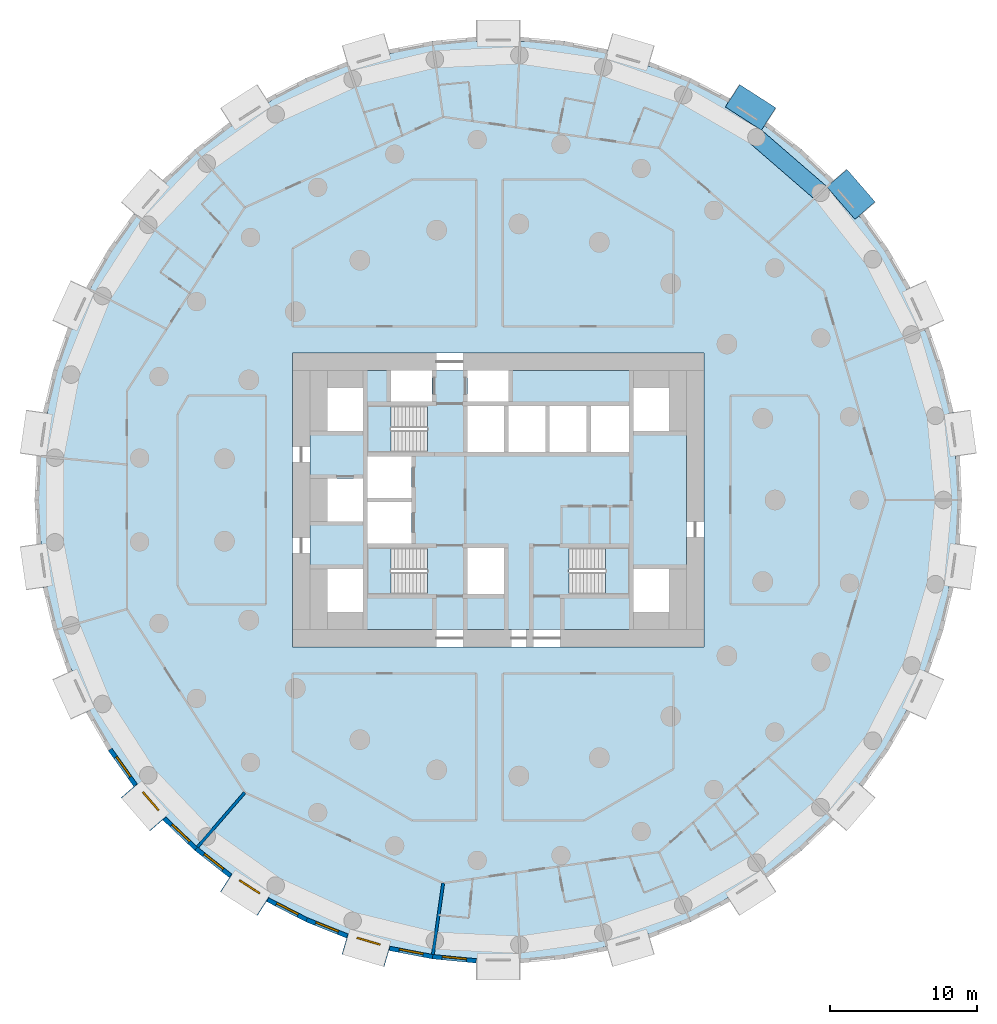
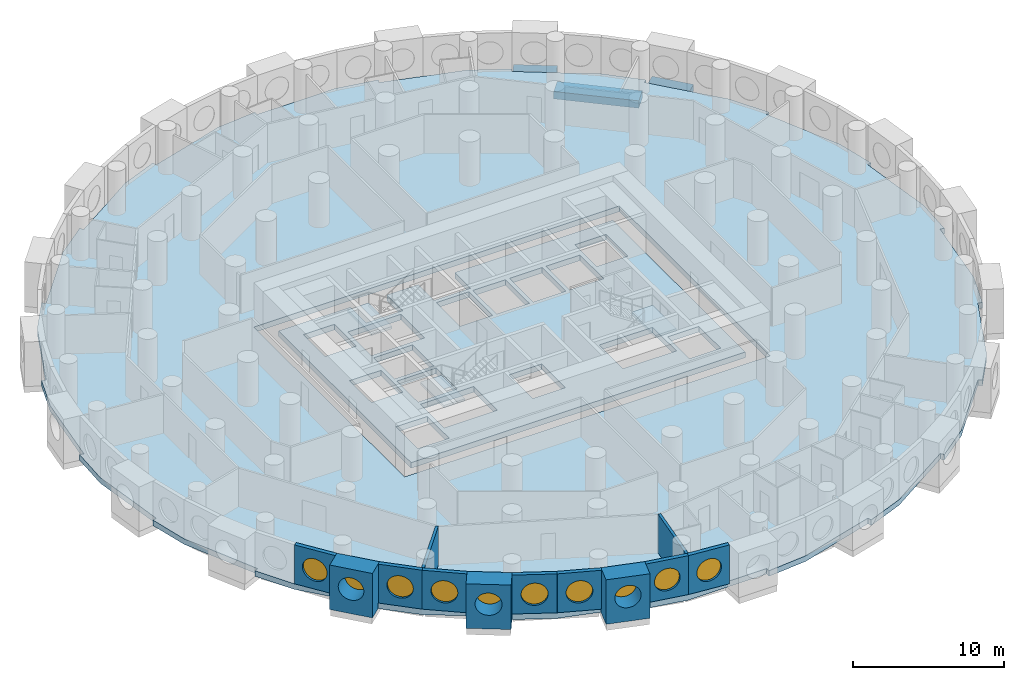
# One storey, part 2 of 11: 12 walls, 10 windows, 5 slabs, 3 beams, 10 openings, 3 elements without a shape of their own.
"""IFC4 building model written with IfcOpenShell, lengths in metres."""

from ifc_helpers import new_model, si_unit, direction, frame, frame_2d, origin, origin_2d, place, context, subcontext, project, spatial, polyline, rectangle, circle, outline, extrude, material, layer, layer_set, material_profile, profile_set, type_object, element, fill, aggregate, save


model = new_model("IFC4")

# Units and contexts
model_context = context("Model", 3, precision=1e-05, world=origin(), true_north=direction((0.0, 1.0)))
body_context = subcontext(model_context, "Body", "Model", "MODEL_VIEW")
ifc_project = project(units=[si_unit("LENGTHUNIT", "METRE"), si_unit("AREAUNIT", "SQUARE_METRE"), si_unit("VOLUMEUNIT", "CUBIC_METRE"), si_unit("PLANEANGLEUNIT", "RADIAN"), si_unit("MASSUNIT", "GRAM", prefix="KILO")], contexts=[model_context])

# Site, building, storey
site_placement = place(None, origin())
site = spatial("IfcSite", under=ifc_project, at=site_placement, CompositionType="ELEMENT")
building_placement = place(site_placement, origin())
building = spatial("IfcBuilding", under=site, at=building_placement, Name="Tracery Tower", CompositionType="ELEMENT")
storey_placement = place(building_placement, frame((0.0, 0.0, 100.199951171875)))
storey = spatial("IfcBuildingStorey", under=building, at=storey_placement, Name="L25", CompositionType="ELEMENT", Elevation=100.199951171875)

# Beams
ifc_material_1 = material(Name="Concrete C60/75", Category="concrete")
ifc_material_profile_1 = material_profile(ifc_material_1, rectangle(XDim=1.81005859375, YDim=0.5, at=origin_2d()), Name="RC 1810x500")
ifc_profile_set_1 = profile_set([ifc_material_profile_1], Name="Concrete C60/75")
beam_type_1 = type_object("IfcBeamType", Name="Bay seat beam 1810 x 500", PredefinedType="BEAM", material=ifc_profile_set_1)
for number, where, z_axis, x_axis, name in (
    (1, (24.93896484375, 19.677978515625, -0.699951171875), (-0.65484458844, 0.755763564212, 0.0), (-0.755763564212, -0.65484458844, 0.0), "Bay seat beam 8 at L25"),
    (2, (18.384765625, 25.906982421875, -0.699951171875), (-0.84124638673, 0.540651936845, 0.0), (-0.540651936845, -0.84124638673, 0.0), "Bay seat beam 11 at L25"),
):
    element("IfcBeam", number, at=place(storey_placement, frame(where, z_axis=z_axis, x_axis=x_axis)), inside=storey, type_object=beam_type_1, Name=name, PredefinedType="BEAM", context=body_context, shape_type="SweptSolid", body=[
        extrude(rectangle(XDim=1.81005859375, YDim=0.5, at=origin_2d()), origin(), (0.0, 0.0, 1.0), 2.919921875),
    ])
ifc_material_2 = material(Name="Concrete C60/75", Category="concrete")
ifc_material_profile_2 = material_profile(ifc_material_2, rectangle(XDim=1.199951171875, YDim=0.60009765625, at=origin_2d()), Name="RC 1200x600")
ifc_profile_set_2 = profile_set([ifc_material_profile_2], Name="Concrete C60/75")
beam_type_2 = type_object("IfcBeamType", Name="Perimeter band beam 1200x600", PredefinedType="BEAM", material=ifc_profile_set_2)
beam_placement = place(storey_placement, frame((21.910888671875, 20.891845703125, -0.75), z_axis=(-0.755760456715, 0.65484817482, 0.0), x_axis=(-0.65484817482, -0.755760456715, 0.0)))
element("IfcBeam", 3, at=beam_placement, inside=storey, type_object=beam_type_2, Name="Perimeter beam 0.04 under L25", PredefinedType="BEAM", context=body_context, shape_type="SweptSolid", body=[
    extrude(rectangle(XDim=1.199951171875, YDim=0.60009765625, at=origin_2d()), origin(), (0.0, 0.0, 1.0), 5.755615234375),
])

# Slabs
ifc_material_3 = material(Name="Concrete C60/75", Category="concrete")
ifc_layer_1 = layer(ifc_material_3, 0.449951171875)
ifc_layer_set_1 = layer_set([ifc_layer_1], Name="Core floor slab 450 C60")
slab_type_1 = type_object("IfcSlabType", Name="Core floor slab 450 C60", PredefinedType="FLOOR", material=ifc_layer_set_1)
slab_1_placement = place(storey_placement, frame((0.0, 0.0, -0.449951171875)))
element("IfcSlab", 4, at=slab_1_placement, inside=storey, type_object=slab_type_1, Name="L25 core floor 1", PredefinedType="FLOOR", context=body_context, shape_type="SweptSolid", body=[
    extrude(outline(polyline([(-12.800048828125, 8.800048828125), (-7.300048828125, 8.800048828125), (-7.300048828125, 6.699951171875), (-4.5, 6.699951171875), (-4.5, 8.800048828125), (-2.10009765625, 8.800048828125), (-2.10009765625, 6.699951171875), (0.699951171875, 6.699951171875), (0.699951171875, 8.800048828125), (12.800048828125, 8.800048828125), (12.800048828125, -8.800048828125), (-12.800048828125, -8.800048828125), (-12.800048828125, 8.800048828125)]), holes=[polyline([(11.60009765625, -7.60009765625), (11.60009765625, -4.699951171875), (9.199951171875, -4.699951171875), (9.199951171875, -7.60009765625), (11.60009765625, -7.60009765625)]), polyline([(11.60009765625, 4.699951171875), (11.60009765625, 7.60009765625), (9.199951171875, 7.60009765625), (9.199951171875, 4.699951171875), (11.60009765625, 4.699951171875)]), polyline([(4.800537109375, -3.25), (4.800537109375, -6.39990234375), (8.89990234375, -6.39990234375), (8.89990234375, -3.25), (4.800537109375, -3.25)]), polyline([(6.300048828125, 3.25), (8.89990234375, 3.25), (8.89990234375, 6.39990234375), (6.300048828125, 6.39990234375), (6.300048828125, 3.25)]), polyline([(3.5, 3.25), (6.0, 3.25), (6.0, 6.39990234375), (3.5, 6.39990234375), (3.5, 3.25)]), polyline([(3.199951171875, 3.25), (3.199951171875, 6.39990234375), (0.699951171875, 6.39990234375), (0.699951171875, 3.25), (3.199951171875, 3.25)]), polyline([(-2.10009765625, 3.25), (0.39990234375, 3.25), (0.39990234375, 6.39990234375), (-2.10009765625, 6.39990234375), (-2.10009765625, 3.25)]), polyline([(0.39990234375, -6.39990234375), (0.39990234375, -3.25), (-2.10009765625, -3.25), (-2.10009765625, -6.39990234375), (0.39990234375, -6.39990234375)]), polyline([(-4.800537109375, -3.25), (-8.89990234375, -3.25), (-8.89990234375, -6.39990234375), (-4.800537109375, -6.39990234375), (-4.800537109375, -3.25)]), polyline([(-4.800537109375, 6.39990234375), (-8.89990234375, 6.39990234375), (-8.89990234375, 3.25), (-4.800537109375, 3.25), (-4.800537109375, 6.39990234375)]), polyline([(-8.89990234375, -2.949951171875), (-5.89990234375, -2.949951171875), (-5.89990234375, -0.14990234375), (-8.89990234375, -0.14990234375), (-8.89990234375, -2.949951171875)]), polyline([(-5.89990234375, 0.14990234375), (-5.89990234375, 2.949951171875), (-8.89990234375, 2.949951171875), (-8.89990234375, 0.14990234375), (-5.89990234375, 0.14990234375)]), polyline([(-11.60009765625, 4.699951171875), (-9.199951171875, 4.699951171875), (-9.199951171875, 7.60009765625), (-11.60009765625, 7.60009765625), (-11.60009765625, 4.699951171875)]), polyline([(-9.199951171875, -7.60009765625), (-9.199951171875, -4.699951171875), (-11.60009765625, -4.699951171875), (-11.60009765625, -7.60009765625), (-9.199951171875, -7.60009765625)]), polyline([(-9.199951171875, -1.449951171875), (-9.199951171875, 1.449951171875), (-11.60009765625, 1.449951171875), (-11.60009765625, -1.449951171875), (-9.199951171875, -1.449951171875)])]), origin(), (0.0, 0.0, 1.0), 0.449951171875),
])
ifc_material_4 = material(Name="Concrete C50/60", Category="concrete")
ifc_layer_2 = layer(ifc_material_4, 0.449951171875)
ifc_layer_set_2 = layer_set([ifc_layer_2], Name="Floor slab 450")
slab_type_2 = type_object("IfcSlabType", Name="Floor slab 450", PredefinedType="FLOOR", material=ifc_layer_set_2)
slab_2_placement = place(storey_placement, frame((0.0, 0.0, -0.449951171875)))
element("IfcSlab", 5, at=slab_2_placement, inside=storey, type_object=slab_type_2, Name="Floor slab L25", PredefinedType="FLOOR", context=body_context, shape_type="SweptSolid", body=[
    extrude(outline(polyline([(31.0849609375, 2.953857421875), (31.0849609375, 2.953857421875), (30.673583984375, 5.814697265625), (30.659912109375, 5.9091796875), (30.659912109375, 5.9091796875), (30.657958984375, 5.92333984375), (30.954345703125, 5.966064453125), (30.954833984375, 5.966064453125), (30.24755859375, 8.881591796875), (28.99365234375, 11.591796875), (28.993408203125, 11.591796875), (28.74609375, 12.1337890625), (27.753173828125, 14.307861328125), (27.753173828125, 14.307861328125), (27.747314453125, 14.32080078125), (28.020263671875, 14.4453125), (26.520263671875, 17.04345703125), (24.55322265625, 19.290771484375), (24.55322265625, 19.290771484375), (22.588623046875, 21.55810546875), (22.814697265625, 21.75390625), (22.8154296875, 21.75439453125), (20.644287109375, 23.82470703125), (18.123779296875, 25.4267578125), (18.123779296875, 25.4267578125), (18.12060546875, 25.428955078125), (18.11181640625, 25.4345703125), (15.612060546875, 27.041015625), (15.612060546875, 27.041015625), (15.60009765625, 27.048583984375), (15.76220703125, 27.301025390625), (13.095703125, 28.67578125), (10.226318359375, 29.5029296875), (10.226318359375, 29.5029296875), (7.34765625, 30.34814453125), (7.43212890625, 30.6357421875), (7.43212890625, 30.635986328125), (4.486328125, 31.20361328125), (1.5, 31.18896484375), (1.5, 31.18896484375), (-1.5, 31.18896484375), (-1.5, 31.489013671875), (-4.486328125, 31.20361328125), (-7.34765625, 30.34814453125), (-7.34765625, 30.34814453125), (-10.226318359375, 29.5029296875), (-10.310791015625, 29.790771484375), (-10.310791015625, 29.790771484375), (-13.095703125, 28.67578125), (-15.60009765625, 27.048828125), (-15.60009765625, 27.048583984375), (-15.60888671875, 27.04296875), (-15.612060546875, 27.041015625), (-18.11181640625, 25.4345703125), (-18.11181640625, 25.4345703125), (-18.123779296875, 25.4267578125), (-18.285888671875, 25.6787109375), (-18.2861328125, 25.67919921875), (-20.644287109375, 23.82470703125), (-22.5888671875, 21.55810546875), (-22.588623046875, 21.55810546875), (-24.55322265625, 19.290771484375), (-24.77978515625, 19.487060546875), (-24.780029296875, 19.4873046875), (-26.520263671875, 17.04345703125), (-27.747314453125, 14.32080078125), (-27.747314453125, 14.32080078125), (-27.751708984375, 14.311279296875), (-27.753173828125, 14.307861328125), (-28.74609375, 12.1337890625), (-28.993408203125, 11.591796875), (-29.266357421875, 11.716552734375), (-30.24755859375, 8.881591796875), (-30.657958984375, 5.92333984375), (-30.657958984375, 5.92333984375), (-30.659912109375, 5.909423828125), (-30.659912109375, 5.9091796875), (-30.673583984375, 5.814697265625), (-31.0849609375, 2.953857421875), (-31.381591796875, 2.99658203125), (-31.3818359375, 2.99658203125), (-31.524658203125, 0.0), (-31.0849609375, -2.953857421875), (-31.0849609375, -2.953857421875), (-30.673583984375, -5.814697265625), (-30.659912109375, -5.9091796875), (-30.659912109375, -5.9091796875), (-30.657958984375, -5.92333984375), (-30.954345703125, -5.966064453125), (-30.954833984375, -5.966064453125), (-30.24755859375, -8.881591796875), (-28.99365234375, -11.591796875), (-28.993408203125, -11.591796875), (-28.74609375, -12.1337890625), (-27.753173828125, -14.307861328125), (-27.753173828125, -14.307861328125), (-27.747314453125, -14.32080078125), (-28.020263671875, -14.4453125), (-26.520263671875, -17.04345703125), (-24.55322265625, -19.290771484375), (-24.55322265625, -19.290771484375), (-22.588623046875, -21.55810546875), (-22.814697265625, -21.75390625), (-22.8154296875, -21.75439453125), (-20.644287109375, -23.82470703125), (-18.123779296875, -25.4267578125), (-18.123779296875, -25.4267578125), (-18.12060546875, -25.428955078125), (-18.11181640625, -25.4345703125), (-15.612060546875, -27.041015625), (-15.612060546875, -27.041015625), (-15.60009765625, -27.048583984375), (-15.76220703125, -27.301025390625), (-13.095703125, -28.67578125), (-10.226318359375, -29.5029296875), (-10.226318359375, -29.5029296875), (-7.34765625, -30.34814453125), (-7.43212890625, -30.6357421875), (-7.43212890625, -30.635986328125), (-4.486328125, -31.20361328125), (-1.5, -31.18896484375), (-1.5, -31.18896484375), (1.5, -31.18896484375), (1.5, -31.489013671875), (4.486328125, -31.20361328125), (7.34765625, -30.34814453125), (7.34765625, -30.34814453125), (10.226318359375, -29.5029296875), (10.310791015625, -29.790771484375), (10.310791015625, -29.790771484375), (13.095703125, -28.67578125), (15.60009765625, -27.048828125), (15.60009765625, -27.048583984375), (15.60888671875, -27.04296875), (15.612060546875, -27.041015625), (18.11181640625, -25.4345703125), (18.11181640625, -25.4345703125), (18.123779296875, -25.4267578125), (18.285888671875, -25.6787109375), (18.2861328125, -25.67919921875), (20.644287109375, -23.82470703125), (22.5888671875, -21.55810546875), (22.588623046875, -21.55810546875), (24.55322265625, -19.290771484375), (24.77978515625, -19.487060546875), (24.780029296875, -19.4873046875), (26.520263671875, -17.04345703125), (27.747314453125, -14.32080078125), (27.747314453125, -14.32080078125), (27.751708984375, -14.311279296875), (27.753173828125, -14.307861328125), (28.74609375, -12.1337890625), (28.993408203125, -11.591796875), (29.266357421875, -11.716552734375), (30.24755859375, -8.881591796875), (30.657958984375, -5.92333984375), (30.657958984375, -5.92333984375), (30.659912109375, -5.909423828125), (30.659912109375, -5.9091796875), (30.673583984375, -5.814697265625), (31.0849609375, -2.953857421875), (31.381591796875, -2.99658203125), (31.3818359375, -2.99658203125), (31.524658203125, 0.0), (31.0849609375, 2.953857421875)]), holes=[polyline([(-14.0, -10.0), (14.0, -10.0), (14.0, 10.0), (-14.0, 10.0), (-14.0, -10.0)])]), origin(), (0.0, 0.0, 1.0), 0.449951171875),
])

# Stair, slab
ifc_material_5 = material(Name="Concrete C32/40", Category="concrete")
stair_type = type_object("IfcStairType", Name="Core stair 22 risers", PredefinedType="HALF_TURN_STAIR", material=ifc_material_5)
stair_1_placement = place(storey_placement, origin())
stair_1 = element("IfcStair", 6, at=stair_1_placement, inside=storey, type_object=stair_type, Name="L25 stair ST1", PredefinedType="HALF_TURN_STAIR")
ifc_material_6 = material(Name="Concrete C32/40", Category="concrete")
ifc_layer_3 = layer(ifc_material_6, 0.199951171875)
ifc_layer_set_3 = layer_set([ifc_layer_3], Name="Stair landing slab 200")
slab_type_3 = type_object("IfcSlabType", Name="Stair landing slab 200", PredefinedType="LANDING", material=ifc_layer_set_3)
slab_3_placement = place(storey_placement, frame((0.0, 0.0, 1.60009765625)))
slab_3 = element("IfcSlab", 7, at=slab_3_placement, type_object=slab_type_3, Name="ST1 landing 1", PredefinedType="LANDING", context=body_context, shape_type="SweptSolid", body=[
    extrude(outline(polyline([(-7.29931640625, -3.25), (-8.89990234375, -3.25), (-8.89990234375, -6.39990234375), (-7.29931640625, -6.39990234375), (-7.29931640625, -3.25)])), origin(), (0.0, 0.0, 1.0), 0.199951171875),
])
aggregate(stair_1, [slab_3])

stair_2_placement = place(storey_placement, origin())
stair_2 = element("IfcStair", 8, at=stair_2_placement, inside=storey, type_object=stair_type, Name="L25 stair ST3", PredefinedType="HALF_TURN_STAIR")
slab_4_placement = place(storey_placement, frame((0.0, 0.0, 1.60009765625)))
slab_4 = element("IfcSlab", 9, at=slab_4_placement, type_object=slab_type_3, Name="ST3 landing 1", PredefinedType="LANDING", context=body_context, shape_type="SweptSolid", body=[
    extrude(outline(polyline([(-7.29931640625, 6.39990234375), (-8.89990234375, 6.39990234375), (-8.89990234375, 3.25), (-7.29931640625, 3.25), (-7.29931640625, 6.39990234375)])), origin(), (0.0, 0.0, 1.0), 0.199951171875),
])
aggregate(stair_2, [slab_4])

stair_3_placement = place(storey_placement, origin())
stair_3 = element("IfcStair", 10, at=stair_3_placement, inside=storey, type_object=stair_type, Name="L25 stair ST2", PredefinedType="HALF_TURN_STAIR")
slab_5_placement = place(storey_placement, frame((0.0, 0.0, 1.60009765625)))
slab_5 = element("IfcSlab", 11, at=slab_5_placement, type_object=slab_type_3, Name="ST2 landing 1", PredefinedType="LANDING", context=body_context, shape_type="SweptSolid", body=[
    extrude(outline(polyline([(7.29931640625, -6.39990234375), (8.89990234375, -6.39990234375), (8.89990234375, -3.25), (7.29931640625, -3.25), (7.29931640625, -6.39990234375)])), origin(), (0.0, 0.0, 1.0), 0.199951171875),
])
aggregate(stair_3, [slab_5])

# Wall, opening, window
ifc_material_7 = material(Name="Precast concrete C50/60", Category="concrete")
ifc_layer_4 = layer(ifc_material_7, 1.449951171875)
ifc_layer_set_4 = layer_set([ifc_layer_4], Name="Deep-set bay unit 3000 x 3600, slab edge 450")
wall_type_1 = type_object("IfcWallType", Name="Deep-set bay unit 3000 x 3600, slab edge 450", PredefinedType="ELEMENTEDWALL", material=ifc_layer_set_4)
wall_1_placement = place(storey_placement, frame((-25.101318359375, -19.765625, -0.449951171875), z_axis=(0.0, 0.0, 1.0), x_axis=(0.654890259022, -0.75572398972, 0.0)))
wall_1 = element("IfcWall", 12, at=wall_1_placement, inside=storey, type_object=wall_type_1, Name="Deep-set bay unit 41 at L25", PredefinedType="ELEMENTEDWALL", context=body_context, shape_type="SweptSolid", body=[
    extrude(rectangle(XDim=3.0, YDim=1.449951171875, at=frame_2d((1.5, 0.0))), origin(), (0.0, 0.0, 1.0), 3.60009765625),
])
opening_1_placement = place(wall_1_placement, frame((1.5, 0.0, 2.0)))
opening_1 = element("IfcOpeningElement", 13, at=opening_1_placement, cuts=wall_1, Name="Opening WN1", PredefinedType="OPENING", context=body_context, shape_type="SweptSolid", body=[
    extrude(circle(Radius=0.9000244140625, at=origin_2d()), frame((0.0, 0.73486328125, 0.0), z_axis=(0.0, -1.0, 0.0), x_axis=(1.0, 0.0, 0.0)), (0.0, 0.0, 1.0), 1.469970703125),
])
ifc_material_8 = material(Name="Aluminium frame with tinted double glazing", Category="aluminium")
window_type = type_object("IfcWindowType", Name="Round window 1800", PartitioningType="SINGLE_PANEL", PredefinedType="WINDOW", material=ifc_material_8)
window_1_placement = place(opening_1_placement, origin())
window_1 = element("IfcWindow", 14, at=window_1_placement, inside=storey, type_object=window_type, Name="Round window 41 at L25", OverallHeight=1.800048828125, OverallWidth=1.800048828125, PartitioningType="SINGLE_PANEL", PredefinedType="WINDOW", context=body_context, shape_type="SweptSolid", body=[
    extrude(circle(Radius=0.9000244140625, at=origin_2d()), frame((0.0, 0.69482421875, 0.0), z_axis=(0.0, -1.0, 0.0), x_axis=(1.0, 0.0, 0.0)), (0.0, 0.0, 1.0), 0.10009765625),
])
fill(opening_1, window_1)

wall_2_placement = place(storey_placement, frame((-18.515869140625, -26.03662109375, -0.449951171875), z_axis=(0.0, 0.0, 1.0), x_axis=(0.841223422347, -0.540687667415, 0.0)))
wall_2 = element("IfcWall", 15, at=wall_2_placement, inside=storey, type_object=wall_type_1, Name="Deep-set bay unit 44 at L25", PredefinedType="ELEMENTEDWALL", context=body_context, shape_type="SweptSolid", body=[
    extrude(rectangle(XDim=3.0, YDim=1.449951171875, at=frame_2d((1.5, 0.0))), origin(), (0.0, 0.0, 1.0), 3.60009765625),
])
opening_2_placement = place(wall_2_placement, frame((1.5, 0.0, 2.0)))
opening_2 = element("IfcOpeningElement", 16, at=opening_2_placement, cuts=wall_2, Name="Opening WN1", PredefinedType="OPENING", context=body_context, shape_type="SweptSolid", body=[
    extrude(circle(Radius=0.9000244140625, at=origin_2d()), frame((0.0, 0.73486328125, 0.0), z_axis=(0.0, -1.0, 0.0), x_axis=(1.0, 0.0, 0.0)), (0.0, 0.0, 1.0), 1.469970703125),
])
window_2_placement = place(opening_2_placement, origin())
window_2 = element("IfcWindow", 17, at=window_2_placement, inside=storey, type_object=window_type, Name="Round window 44 at L25", OverallHeight=1.800048828125, OverallWidth=1.800048828125, PartitioningType="SINGLE_PANEL", PredefinedType="WINDOW", context=body_context, shape_type="SweptSolid", body=[
    extrude(circle(Radius=0.9000244140625, at=origin_2d()), frame((0.0, 0.69482421875, 0.0), z_axis=(0.0, -1.0, 0.0), x_axis=(1.0, 0.0, 0.0)), (0.0, 0.0, 1.0), 0.10009765625),
])
fill(opening_2, window_2)

wall_3_placement = place(storey_placement, frame((-10.430419921875, -30.198486328125, -0.449951171875), z_axis=(0.0, 0.0, 1.0), x_axis=(0.959489813418, -0.281743319258, 0.0)))
wall_3 = element("IfcWall", 18, at=wall_3_placement, inside=storey, type_object=wall_type_1, Name="Deep-set bay unit 47 at L25", PredefinedType="ELEMENTEDWALL", context=body_context, shape_type="SweptSolid", body=[
    extrude(rectangle(XDim=3.0, YDim=1.449951171875, at=frame_2d((1.5, 0.0))), origin(), (0.0, 0.0, 1.0), 3.60009765625),
])
opening_3_placement = place(wall_3_placement, frame((1.5, 0.0, 2.0)))
opening_3 = element("IfcOpeningElement", 19, at=opening_3_placement, cuts=wall_3, Name="Opening WN1", PredefinedType="OPENING", context=body_context, shape_type="SweptSolid", body=[
    extrude(circle(Radius=0.9000244140625, at=origin_2d()), frame((0.0, 0.73486328125, 0.0), z_axis=(0.0, -1.0, 0.0), x_axis=(1.0, 0.0, 0.0)), (0.0, 0.0, 1.0), 1.469970703125),
])
window_3_placement = place(opening_3_placement, origin())
window_3 = element("IfcWindow", 20, at=window_3_placement, inside=storey, type_object=window_type, Name="Round window 47 at L25", OverallHeight=1.800048828125, OverallWidth=1.800048828125, PartitioningType="SINGLE_PANEL", PredefinedType="WINDOW", context=body_context, shape_type="SweptSolid", body=[
    extrude(circle(Radius=0.9000244140625, at=origin_2d()), frame((0.0, 0.69482421875, 0.0), z_axis=(0.0, -1.0, 0.0), x_axis=(1.0, 0.0, 0.0)), (0.0, 0.0, 1.0), 0.10009765625),
])
fill(opening_3, window_3)

ifc_material_9 = material(Name="Precast concrete C50/60", Category="concrete")
ifc_layer_5 = layer(ifc_material_9, 0.300048828125)
ifc_layer_set_5 = layer_set([ifc_layer_5], Name="Facade panel 3000 x 3150")
wall_type_2 = type_object("IfcWallType", Name="Facade panel 3000 x 3150", PredefinedType="SOLIDWALL", material=ifc_layer_set_5)
wall_4_placement = place(storey_placement, frame((-26.393798828125, -16.96240234375, 0.0), z_axis=(0.0, 0.0, 1.0), x_axis=(0.580059407678, -0.81457417315, 0.0)))
wall_4 = element("IfcWall", 21, at=wall_4_placement, inside=storey, type_object=wall_type_2, Name="Facade panel 40 at L25", PredefinedType="SOLIDWALL", context=body_context, shape_type="SweptSolid", body=[
    extrude(rectangle(XDim=2.9794921875, YDim=0.300048828125, at=frame_2d((1.48974609375, 0.0))), origin(), (0.0, 0.0, 1.0), 3.150146484375),
])
opening_4_placement = place(wall_4_placement, frame((1.48974609375, 0.0, 1.5498046875)))
opening_4 = element("IfcOpeningElement", 22, at=opening_4_placement, cuts=wall_4, Name="Opening WN1", PredefinedType="OPENING", context=body_context, shape_type="SweptSolid", body=[
    extrude(circle(Radius=0.9000244140625, at=origin_2d()), frame((0.0, 0.159912109375, 0.0), z_axis=(0.0, -1.0, 0.0), x_axis=(1.0, 0.0, 0.0)), (0.0, 0.0, 1.0), 0.320068359375),
])
window_4_placement = place(opening_4_placement, origin())
window_4 = element("IfcWindow", 23, at=window_4_placement, inside=storey, type_object=window_type, Name="Round window 40 at L25", OverallHeight=1.800048828125, OverallWidth=1.800048828125, PartitioningType="SINGLE_PANEL", PredefinedType="WINDOW", context=body_context, shape_type="SweptSolid", body=[
    extrude(circle(Radius=0.9000244140625, at=origin_2d()), frame((0.0, 0.1201171875, 0.0), z_axis=(0.0, -1.0, 0.0), x_axis=(1.0, 0.0, 0.0)), (0.0, 0.0, 1.0), 0.10009765625),
])
fill(opening_4, window_4)

wall_5_placement = place(storey_placement, frame((-22.702392578125, -21.655029296875, 0.0), z_axis=(0.0, 0.0, 1.0), x_axis=(0.723744206617, -0.690068346896, 0.0)))
wall_5 = element("IfcWall", 24, at=wall_5_placement, inside=storey, type_object=wall_type_2, Name="Facade panel 42 at L25", PredefinedType="SOLIDWALL", context=body_context, shape_type="SweptSolid", body=[
    extrude(rectangle(XDim=2.979736328125, YDim=0.300048828125, at=frame_2d((1.48974609375, 0.0))), origin(), (0.0, 0.0, 1.0), 3.150146484375),
])
opening_5_placement = place(wall_5_placement, frame((1.48974609375, 0.0, 1.5498046875)))
opening_5 = element("IfcOpeningElement", 25, at=opening_5_placement, cuts=wall_5, Name="Opening WN1", PredefinedType="OPENING", context=body_context, shape_type="SweptSolid", body=[
    extrude(circle(Radius=0.9000244140625, at=origin_2d()), frame((0.0, 0.159912109375, 0.0), z_axis=(0.0, -1.0, 0.0), x_axis=(1.0, 0.0, 0.0)), (0.0, 0.0, 1.0), 0.320068359375),
])
window_5_placement = place(opening_5_placement, origin())
window_5 = element("IfcWindow", 26, at=window_5_placement, inside=storey, type_object=window_type, Name="Round window 42 at L25", OverallHeight=1.800048828125, OverallWidth=1.800048828125, PartitioningType="SINGLE_PANEL", PredefinedType="WINDOW", context=body_context, shape_type="SweptSolid", body=[
    extrude(circle(Radius=0.9000244140625, at=origin_2d()), frame((0.0, 0.1201171875, 0.0), z_axis=(0.0, -1.0, 0.0), x_axis=(1.0, 0.0, 0.0)), (0.0, 0.0, 1.0), 0.10009765625),
])
fill(opening_5, window_5)

wall_6_placement = place(storey_placement, frame((-20.5458984375, -23.711181640625, 0.0), z_axis=(0.0, 0.0, 1.0), x_axis=(0.786045331304, -0.618168858108, 0.0)))
wall_6 = element("IfcWall", 27, at=wall_6_placement, inside=storey, type_object=wall_type_2, Name="Facade panel 43 at L25", PredefinedType="SOLIDWALL", context=body_context, shape_type="SweptSolid", body=[
    extrude(rectangle(XDim=2.979736328125, YDim=0.300048828125, at=frame_2d((1.48974609375, 0.0))), origin(), (0.0, 0.0, 1.0), 3.150146484375),
])
opening_6_placement = place(wall_6_placement, frame((1.48974609375, 0.0, 1.5498046875)))
opening_6 = element("IfcOpeningElement", 28, at=opening_6_placement, cuts=wall_6, Name="Opening WN1", PredefinedType="OPENING", context=body_context, shape_type="SweptSolid", body=[
    extrude(circle(Radius=0.9000244140625, at=origin_2d()), frame((0.0, 0.159912109375, 0.0), z_axis=(0.0, -1.0, 0.0), x_axis=(1.0, 0.0, 0.0)), (0.0, 0.0, 1.0), 0.320068359375),
])
window_6_placement = place(opening_6_placement, origin())
window_6 = element("IfcWindow", 29, at=window_6_placement, inside=storey, type_object=window_type, Name="Round window 43 at L25", OverallHeight=1.800048828125, OverallWidth=1.800048828125, PartitioningType="SINGLE_PANEL", PredefinedType="WINDOW", context=body_context, shape_type="SweptSolid", body=[
    extrude(circle(Radius=0.9000244140625, at=origin_2d()), frame((0.0, 0.1201171875, 0.0), z_axis=(0.0, -1.0, 0.0), x_axis=(1.0, 0.0, 0.0)), (0.0, 0.0, 1.0), 0.10009765625),
])
fill(opening_6, window_6)

wall_7_placement = place(storey_placement, frame((-15.681884765625, -27.173828125, 0.0), z_axis=(0.0, 0.0, 1.0), x_axis=(0.888819853856, -0.458256770153, 0.0)))
wall_7 = element("IfcWall", 30, at=wall_7_placement, inside=storey, type_object=wall_type_2, Name="Facade panel 45 at L25", PredefinedType="SOLIDWALL", context=body_context, shape_type="SweptSolid", body=[
    extrude(rectangle(XDim=2.979736328125, YDim=0.300048828125, at=frame_2d((1.48974609375, 0.0))), origin(), (0.0, 0.0, 1.0), 3.150146484375),
])
opening_7_placement = place(wall_7_placement, frame((1.48974609375, 0.0, 1.5498046875)))
opening_7 = element("IfcOpeningElement", 31, at=opening_7_placement, cuts=wall_7, Name="Opening WN1", PredefinedType="OPENING", context=body_context, shape_type="SweptSolid", body=[
    extrude(circle(Radius=0.9000244140625, at=origin_2d()), frame((0.0, 0.159912109375, 0.0), z_axis=(0.0, -1.0, 0.0), x_axis=(1.0, 0.0, 0.0)), (0.0, 0.0, 1.0), 0.320068359375),
])
window_7_placement = place(opening_7_placement, origin())
window_7 = element("IfcWindow", 32, at=window_7_placement, inside=storey, type_object=window_type, Name="Round window 45 at L25", OverallHeight=1.800048828125, OverallWidth=1.800048828125, PartitioningType="SINGLE_PANEL", PredefinedType="WINDOW", context=body_context, shape_type="SweptSolid", body=[
    extrude(circle(Radius=0.9000244140625, at=origin_2d()), frame((0.0, 0.1201171875, 0.0), z_axis=(0.0, -1.0, 0.0), x_axis=(1.0, 0.0, 0.0)), (0.0, 0.0, 1.0), 0.10009765625),
])
fill(opening_7, window_7)

wall_8_placement = place(storey_placement, frame((-13.033447265625, -28.539306640625, 0.0), z_axis=(0.0, 0.0, 1.0), x_axis=(0.928403213937, -0.371574316054, 0.0)))
wall_8 = element("IfcWall", 33, at=wall_8_placement, inside=storey, type_object=wall_type_2, Name="Facade panel 46 at L25", PredefinedType="SOLIDWALL", context=body_context, shape_type="SweptSolid", body=[
    extrude(rectangle(XDim=2.979736328125, YDim=0.300048828125, at=frame_2d((1.48974609375, 0.0))), origin(), (0.0, 0.0, 1.0), 3.150146484375),
])
opening_8_placement = place(wall_8_placement, frame((1.48974609375, 0.0, 1.5498046875)))
opening_8 = element("IfcOpeningElement", 34, at=opening_8_placement, cuts=wall_8, Name="Opening WN1", PredefinedType="OPENING", context=body_context, shape_type="SweptSolid", body=[
    extrude(circle(Radius=0.9000244140625, at=origin_2d()), frame((0.0, 0.159912109375, 0.0), z_axis=(0.0, -1.0, 0.0), x_axis=(1.0, 0.0, 0.0)), (0.0, 0.0, 1.0), 0.320068359375),
])
window_8_placement = place(opening_8_placement, origin())
window_8 = element("IfcWindow", 35, at=window_8_placement, inside=storey, type_object=window_type, Name="Round window 46 at L25", OverallHeight=1.800048828125, OverallWidth=1.800048828125, PartitioningType="SINGLE_PANEL", PredefinedType="WINDOW", context=body_context, shape_type="SweptSolid", body=[
    extrude(circle(Radius=0.9000244140625, at=origin_2d()), frame((0.0, 0.1201171875, 0.0), z_axis=(0.0, -1.0, 0.0), x_axis=(1.0, 0.0, 0.0)), (0.0, 0.0, 1.0), 0.10009765625),
])
fill(opening_8, window_8)

wall_9_placement = place(storey_placement, frame((-7.390869140625, -30.4912109375, 0.0), z_axis=(0.0, 0.0, 1.0), x_axis=(0.981924535406, -0.189272836848, 0.0)))
wall_9 = element("IfcWall", 36, at=wall_9_placement, inside=storey, type_object=wall_type_2, Name="Facade panel 48 at L25", PredefinedType="SOLIDWALL", context=body_context, shape_type="SweptSolid", body=[
    extrude(rectangle(XDim=2.979736328125, YDim=0.300048828125, at=frame_2d((1.48974609375, 0.0))), origin(), (0.0, 0.0, 1.0), 3.150146484375),
])
opening_9_placement = place(wall_9_placement, frame((1.48974609375, 0.0, 1.5498046875)))
opening_9 = element("IfcOpeningElement", 37, at=opening_9_placement, cuts=wall_9, Name="Opening WN1", PredefinedType="OPENING", context=body_context, shape_type="SweptSolid", body=[
    extrude(circle(Radius=0.9000244140625, at=origin_2d()), frame((0.0, 0.159912109375, 0.0), z_axis=(0.0, -1.0, 0.0), x_axis=(1.0, 0.0, 0.0)), (0.0, 0.0, 1.0), 0.320068359375),
])
window_9_placement = place(opening_9_placement, origin())
window_9 = element("IfcWindow", 38, at=window_9_placement, inside=storey, type_object=window_type, Name="Round window 48 at L25", OverallHeight=1.800048828125, OverallWidth=1.800048828125, PartitioningType="SINGLE_PANEL", PredefinedType="WINDOW", context=body_context, shape_type="SweptSolid", body=[
    extrude(circle(Radius=0.9000244140625, at=origin_2d()), frame((0.0, 0.1201171875, 0.0), z_axis=(0.0, -1.0, 0.0), x_axis=(1.0, 0.0, 0.0)), (0.0, 0.0, 1.0), 0.10009765625),
])
fill(opening_9, window_9)

wall_10_placement = place(storey_placement, frame((-4.465087890625, -31.05517578125, 0.0), z_axis=(0.0, 0.0, 1.0), x_axis=(0.995473351551, -0.095041077185, 0.0)))
wall_10 = element("IfcWall", 39, at=wall_10_placement, inside=storey, type_object=wall_type_2, Name="Facade panel 49 at L25", PredefinedType="SOLIDWALL", context=body_context, shape_type="SweptSolid", body=[
    extrude(rectangle(XDim=2.979736328125, YDim=0.300048828125, at=frame_2d((1.48974609375, 0.0))), origin(), (0.0, 0.0, 1.0), 3.150146484375),
])
opening_10_placement = place(wall_10_placement, frame((1.48974609375, 0.0, 1.5498046875)))
opening_10 = element("IfcOpeningElement", 40, at=opening_10_placement, cuts=wall_10, Name="Opening WN1", PredefinedType="OPENING", context=body_context, shape_type="SweptSolid", body=[
    extrude(circle(Radius=0.9000244140625, at=origin_2d()), frame((0.0, 0.159912109375, 0.0), z_axis=(0.0, -1.0, 0.0), x_axis=(1.0, 0.0, 0.0)), (0.0, 0.0, 1.0), 0.320068359375),
])
window_10_placement = place(opening_10_placement, origin())
window_10 = element("IfcWindow", 41, at=window_10_placement, inside=storey, type_object=window_type, Name="Round window 49 at L25", OverallHeight=1.800048828125, OverallWidth=1.800048828125, PartitioningType="SINGLE_PANEL", PredefinedType="WINDOW", context=body_context, shape_type="SweptSolid", body=[
    extrude(circle(Radius=0.9000244140625, at=origin_2d()), frame((0.0, 0.1201171875, 0.0), z_axis=(0.0, -1.0, 0.0), x_axis=(1.0, 0.0, 0.0)), (0.0, 0.0, 1.0), 0.10009765625),
])
fill(opening_10, window_10)

# Walls
ifc_material_10 = material(Name="Plasterboard on steel studs", Category="steel")
ifc_layer_6 = layer(ifc_material_10, 0.199951171875)
ifc_layer_set_6 = layer_set([ifc_layer_6], Name="Partition 200 compartment wall")
wall_type_3 = type_object("IfcWallType", Name="Partition 200 compartment wall", PredefinedType="PARTITIONING", material=ifc_layer_set_6)
wall_11_placement = place(storey_placement, frame((-20.447998046875, -23.597900390625, 0.0), z_axis=(0.0, 0.0, 1.0), x_axis=(0.654847179409, 0.755761319214, 0.0)))
element("IfcWall", 42, at=wall_11_placement, inside=storey, type_object=wall_type_3, Name="Compartment wall RA7-071", PredefinedType="PARTITIONING", context=body_context, shape_type="SweptSolid", body=[
    extrude(rectangle(XDim=4.90625, YDim=0.199951171875, at=frame_2d((2.453125, 0.0))), origin(), (0.0, 0.0, 1.0), 3.150146484375),
])
wall_12_placement = place(storey_placement, frame((-4.444091796875, -30.906005859375, 0.0), z_axis=(0.0, 0.0, 1.0), x_axis=(0.142452592463, 0.989801626035, 0.0)))
element("IfcWall", 43, at=wall_12_placement, inside=storey, type_object=wall_type_3, Name="Compartment wall RA7-072", PredefinedType="PARTITIONING", context=body_context, shape_type="SweptSolid", body=[
    extrude(rectangle(XDim=4.905029296875, YDim=0.199951171875, at=frame_2d((2.45263671875, 0.0))), origin(), (0.0, 0.0, 1.0), 3.150146484375),
])

save(model, "model.ifc")
